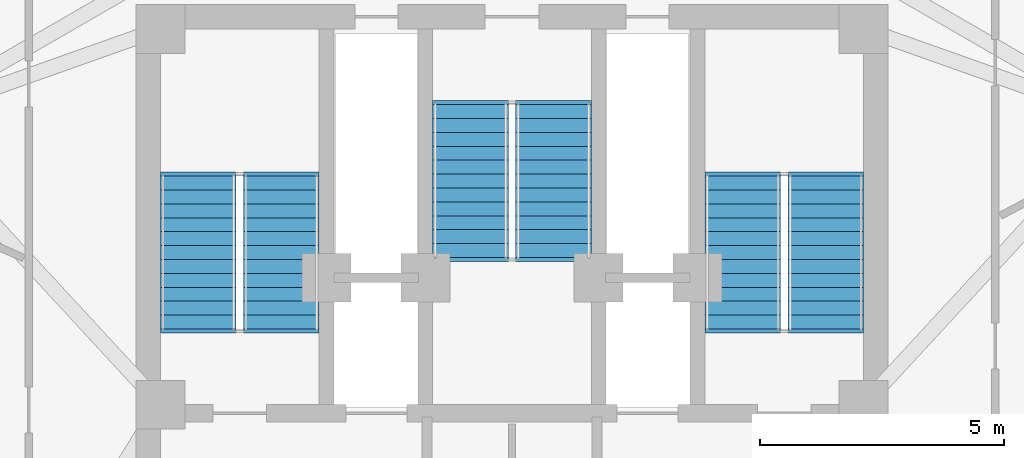
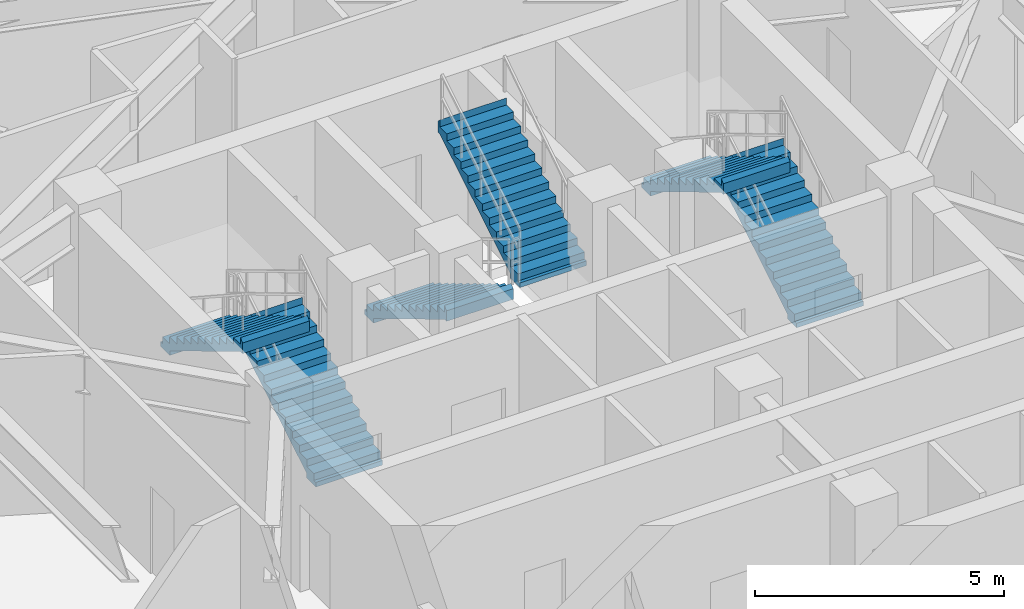
# One storey, part 8 of 10: 6 stair flights, 3 elements without a shape of their own.
"""IFC4 building model written with IfcOpenShell, lengths in metres."""

from ifc_helpers import new_model, si_unit, direction, frame, origin, place, context, subcontext, project, spatial, polyline, outline, extrude, material, type_object, element, aggregate, save


model = new_model("IFC4")

# Units and contexts
model_context = context("Model", 3, precision=1e-05, world=origin(), true_north=direction((0.0, 1.0)))
body_context = subcontext(model_context, "Body", "Model", "MODEL_VIEW")
ifc_project = project(units=[si_unit("LENGTHUNIT", "METRE"), si_unit("AREAUNIT", "SQUARE_METRE"), si_unit("VOLUMEUNIT", "CUBIC_METRE"), si_unit("PLANEANGLEUNIT", "RADIAN"), si_unit("MASSUNIT", "GRAM", prefix="KILO")], contexts=[model_context])

# Site, building, storey
site_placement = place(None, origin())
site = spatial("IfcSite", under=ifc_project, at=site_placement, CompositionType="ELEMENT")
building_placement = place(site_placement, origin())
building = spatial("IfcBuilding", under=site, at=building_placement, Name="Apsidion Concourse Tower", CompositionType="ELEMENT")
storey_placement = place(building_placement, frame((0.0, 0.0, 302.39990234375)))
storey = spatial("IfcBuildingStorey", under=building, at=storey_placement, Name="L71", CompositionType="ELEMENT", Elevation=302.39990234375)

# Stair, stair flights
ifc_material = material(Name="Precast concrete C40/50", Category="concrete")
stair_type = type_object("IfcStairType", Name="ST-DL-1550", PredefinedType="HALF_TURN_STAIR", material=ifc_material)
stair_1_placement = place(storey_placement, origin())
stair_1 = element("IfcStair", 1, at=stair_1_placement, inside=storey, type_object=stair_type, Name="L71 Protected Core Exit Stair ST1", PredefinedType="HALF_TURN_STAIR")
stair_flight_type = type_object("IfcStairFlightType", Name="SFL-RC-1550", PredefinedType="STRAIGHT", material=ifc_material)
stair_flight_1_placement = place(storey_placement, frame((-4.72509765625, 3.0, 0.0), z_axis=(0.0, 0.0, 1.0), x_axis=(0.0, 1.0, 0.0)))
stair_flight_1 = element("IfcStairFlight", 2, at=stair_flight_1_placement, type_object=stair_flight_type, Name="ST1 flight 1", NumberOfRisers=12, NumberOfTreads=11, PredefinedType="STRAIGHT", RiserHeight=0.170833333, TreadLength=0.285, context=body_context, shape_type="SweptSolid", body=[
    extrude(outline(polyline([(-0.080078125, -0.1123046875), (-0.080078125, 0.0), (0.0, 0.0), (0.0, 0.1708984375), (0.284912109375, 0.1708984375), (0.284912109375, 0.341552734375), (0.570068359375, 0.341552734375), (0.570068359375, 0.512451171875), (0.85498046875, 0.512451171875), (0.85498046875, 0.683349609375), (1.139892578125, 0.683349609375), (1.139892578125, 0.854248046875), (1.425048828125, 0.854248046875), (1.425048828125, 1.02490234375), (1.7099609375, 1.02490234375), (1.7099609375, 1.19580078125), (1.9951171875, 1.19580078125), (1.9951171875, 1.36669921875), (2.280029296875, 1.36669921875), (2.280029296875, 1.53759765625), (2.56494140625, 1.53759765625), (2.56494140625, 1.708251953125), (2.85009765625, 1.708251953125), (2.85009765625, 1.879150390625), (3.135009765625, 1.879150390625), (3.135009765625, 2.050048828125), (3.215087890625, 1.964599609375), (3.215087890625, 1.704345703125), (3.135009765625, 1.704345703125), (0.29150390625, 0.0), (0.29150390625, -0.1123046875), (-0.080078125, -0.1123046875)])), frame((0.0, 0.77490234375, 0.0), z_axis=(0.0, -1.0, 0.0), x_axis=(1.0, 0.0, 0.0)), (0.0, 0.0, 1.0), 1.550048828125),
])
stair_flight_2_placement = place(storey_placement, frame((-6.425048828125, 6.135009765625, 2.050048828125), z_axis=(0.0, 0.0, 1.0), x_axis=(0.0, -1.0, 0.0)))
stair_flight_2 = element("IfcStairFlight", 3, at=stair_flight_2_placement, type_object=stair_flight_type, Name="ST1 flight 2", NumberOfRisers=12, NumberOfTreads=11, PredefinedType="STRAIGHT", RiserHeight=0.170833333, TreadLength=0.285, context=body_context, shape_type="SweptSolid", body=[
    extrude(outline(polyline([(-0.080078125, -0.1123046875), (-0.080078125, 0.0), (0.0, 0.0), (0.0, 0.1708984375), (0.284912109375, 0.1708984375), (0.284912109375, 0.341552734375), (0.570068359375, 0.341552734375), (0.570068359375, 0.512451171875), (0.85498046875, 0.512451171875), (0.85498046875, 0.683349609375), (1.139892578125, 0.683349609375), (1.139892578125, 0.854248046875), (1.425048828125, 0.854248046875), (1.425048828125, 1.02490234375), (1.7099609375, 1.02490234375), (1.7099609375, 1.19580078125), (1.9951171875, 1.19580078125), (1.9951171875, 1.36669921875), (2.280029296875, 1.36669921875), (2.280029296875, 1.53759765625), (2.56494140625, 1.53759765625), (2.56494140625, 1.708251953125), (2.85009765625, 1.708251953125), (2.85009765625, 1.879150390625), (3.135009765625, 1.879150390625), (3.135009765625, 2.050048828125), (3.215087890625, 1.964599609375), (3.215087890625, 1.704345703125), (3.135009765625, 1.704345703125), (0.29150390625, 0.0), (0.29150390625, -0.1123046875), (-0.080078125, -0.1123046875)])), frame((0.0, 0.77490234375, 0.0), z_axis=(0.0, -1.0, 0.0), x_axis=(1.0, 0.0, 0.0)), (0.0, 0.0, 1.0), 1.550048828125),
])
aggregate(stair_1, [stair_flight_1, stair_flight_2])

stair_2_placement = place(storey_placement, origin())
stair_2 = element("IfcStair", 4, at=stair_2_placement, inside=storey, type_object=stair_type, Name="L71 Protected Core Exit Stair ST2", PredefinedType="HALF_TURN_STAIR")
stair_flight_3_placement = place(storey_placement, frame((6.425048828125, 3.0, 0.0), z_axis=(0.0, 0.0, 1.0), x_axis=(0.0, 1.0, 0.0)))
stair_flight_3 = element("IfcStairFlight", 5, at=stair_flight_3_placement, type_object=stair_flight_type, Name="ST2 flight 1", NumberOfRisers=12, NumberOfTreads=11, PredefinedType="STRAIGHT", RiserHeight=0.170833333, TreadLength=0.285, context=body_context, shape_type="SweptSolid", body=[
    extrude(outline(polyline([(-0.080078125, -0.1123046875), (-0.080078125, 0.0), (0.0, 0.0), (0.0, 0.1708984375), (0.284912109375, 0.1708984375), (0.284912109375, 0.341552734375), (0.570068359375, 0.341552734375), (0.570068359375, 0.512451171875), (0.85498046875, 0.512451171875), (0.85498046875, 0.683349609375), (1.139892578125, 0.683349609375), (1.139892578125, 0.854248046875), (1.425048828125, 0.854248046875), (1.425048828125, 1.02490234375), (1.7099609375, 1.02490234375), (1.7099609375, 1.19580078125), (1.9951171875, 1.19580078125), (1.9951171875, 1.36669921875), (2.280029296875, 1.36669921875), (2.280029296875, 1.53759765625), (2.56494140625, 1.53759765625), (2.56494140625, 1.708251953125), (2.85009765625, 1.708251953125), (2.85009765625, 1.879150390625), (3.135009765625, 1.879150390625), (3.135009765625, 2.050048828125), (3.215087890625, 1.964599609375), (3.215087890625, 1.704345703125), (3.135009765625, 1.704345703125), (0.29150390625, 0.0), (0.29150390625, -0.1123046875), (-0.080078125, -0.1123046875)])), frame((0.0, 0.77490234375, 0.0), z_axis=(0.0, -1.0, 0.0), x_axis=(1.0, 0.0, 0.0)), (0.0, 0.0, 1.0), 1.550048828125),
])
stair_flight_4_placement = place(storey_placement, frame((4.72509765625, 6.135009765625, 2.050048828125), z_axis=(0.0, 0.0, 1.0), x_axis=(0.0, -1.0, 0.0)))
stair_flight_4 = element("IfcStairFlight", 6, at=stair_flight_4_placement, type_object=stair_flight_type, Name="ST2 flight 2", NumberOfRisers=12, NumberOfTreads=11, PredefinedType="STRAIGHT", RiserHeight=0.170833333, TreadLength=0.285, context=body_context, shape_type="SweptSolid", body=[
    extrude(outline(polyline([(-0.080078125, -0.1123046875), (-0.080078125, 0.0), (0.0, 0.0), (0.0, 0.1708984375), (0.284912109375, 0.1708984375), (0.284912109375, 0.341552734375), (0.570068359375, 0.341552734375), (0.570068359375, 0.512451171875), (0.85498046875, 0.512451171875), (0.85498046875, 0.683349609375), (1.139892578125, 0.683349609375), (1.139892578125, 0.854248046875), (1.425048828125, 0.854248046875), (1.425048828125, 1.02490234375), (1.7099609375, 1.02490234375), (1.7099609375, 1.19580078125), (1.9951171875, 1.19580078125), (1.9951171875, 1.36669921875), (2.280029296875, 1.36669921875), (2.280029296875, 1.53759765625), (2.56494140625, 1.53759765625), (2.56494140625, 1.708251953125), (2.85009765625, 1.708251953125), (2.85009765625, 1.879150390625), (3.135009765625, 1.879150390625), (3.135009765625, 2.050048828125), (3.215087890625, 1.964599609375), (3.215087890625, 1.704345703125), (3.135009765625, 1.704345703125), (0.29150390625, 0.0), (0.29150390625, -0.1123046875), (-0.080078125, -0.1123046875)])), frame((0.0, 0.77490234375, 0.0), z_axis=(0.0, -1.0, 0.0), x_axis=(1.0, 0.0, 0.0)), (0.0, 0.0, 1.0), 1.550048828125),
])
aggregate(stair_2, [stair_flight_3, stair_flight_4])

stair_3_placement = place(storey_placement, origin())
stair_3 = element("IfcStair", 7, at=stair_3_placement, inside=storey, type_object=stair_type, Name="L71 Protected Core Exit Stair ST3", PredefinedType="HALF_TURN_STAIR")
stair_flight_5_placement = place(storey_placement, frame((-0.85009765625, 7.60009765625, 0.0), z_axis=(0.0, 0.0, 1.0), x_axis=(0.0, -1.0, 0.0)))
stair_flight_5 = element("IfcStairFlight", 8, at=stair_flight_5_placement, type_object=stair_flight_type, Name="ST3 flight 1", NumberOfRisers=12, NumberOfTreads=11, PredefinedType="STRAIGHT", RiserHeight=0.170833333, TreadLength=0.285, context=body_context, shape_type="SweptSolid", body=[
    extrude(outline(polyline([(-0.080078125, -0.1123046875), (-0.080078125, 0.0), (0.0, 0.0), (0.0, 0.1708984375), (0.284912109375, 0.1708984375), (0.284912109375, 0.341552734375), (0.570068359375, 0.341552734375), (0.570068359375, 0.512451171875), (0.85498046875, 0.512451171875), (0.85498046875, 0.683349609375), (1.139892578125, 0.683349609375), (1.139892578125, 0.854248046875), (1.425048828125, 0.854248046875), (1.425048828125, 1.02490234375), (1.7099609375, 1.02490234375), (1.7099609375, 1.19580078125), (1.9951171875, 1.19580078125), (1.9951171875, 1.36669921875), (2.280029296875, 1.36669921875), (2.280029296875, 1.53759765625), (2.56494140625, 1.53759765625), (2.56494140625, 1.708251953125), (2.85009765625, 1.708251953125), (2.85009765625, 1.879150390625), (3.135009765625, 1.879150390625), (3.135009765625, 2.050048828125), (3.215087890625, 1.964599609375), (3.215087890625, 1.704345703125), (3.135009765625, 1.704345703125), (0.29150390625, 0.0), (0.29150390625, -0.1123046875), (-0.080078125, -0.1123046875)])), frame((0.0, 0.77490234375, 0.0), z_axis=(0.0, -1.0, 0.0), x_axis=(1.0, 0.0, 0.0)), (0.0, 0.0, 1.0), 1.550048828125),
])
stair_flight_6_placement = place(storey_placement, frame((0.85009765625, 4.465087890625, 2.050048828125), z_axis=(0.0, 0.0, 1.0), x_axis=(0.0, 1.0, 0.0)))
stair_flight_6 = element("IfcStairFlight", 9, at=stair_flight_6_placement, type_object=stair_flight_type, Name="ST3 flight 2", NumberOfRisers=12, NumberOfTreads=11, PredefinedType="STRAIGHT", RiserHeight=0.170833333, TreadLength=0.285, context=body_context, shape_type="SweptSolid", body=[
    extrude(outline(polyline([(-0.080078125, -0.1123046875), (-0.080078125, 0.0), (0.0, 0.0), (0.0, 0.1708984375), (0.284912109375, 0.1708984375), (0.284912109375, 0.341552734375), (0.570068359375, 0.341552734375), (0.570068359375, 0.512451171875), (0.85498046875, 0.512451171875), (0.85498046875, 0.683349609375), (1.139892578125, 0.683349609375), (1.139892578125, 0.854248046875), (1.425048828125, 0.854248046875), (1.425048828125, 1.02490234375), (1.7099609375, 1.02490234375), (1.7099609375, 1.19580078125), (1.9951171875, 1.19580078125), (1.9951171875, 1.36669921875), (2.280029296875, 1.36669921875), (2.280029296875, 1.53759765625), (2.56494140625, 1.53759765625), (2.56494140625, 1.708251953125), (2.85009765625, 1.708251953125), (2.85009765625, 1.879150390625), (3.135009765625, 1.879150390625), (3.135009765625, 2.050048828125), (3.215087890625, 1.964599609375), (3.215087890625, 1.704345703125), (3.135009765625, 1.704345703125), (0.29150390625, 0.0), (0.29150390625, -0.1123046875), (-0.080078125, -0.1123046875)])), frame((0.0, 0.77490234375, 0.0), z_axis=(0.0, -1.0, 0.0), x_axis=(1.0, 0.0, 0.0)), (0.0, 0.0, 1.0), 1.550048828125),
])
aggregate(stair_3, [stair_flight_5, stair_flight_6])

save(model, "model.ifc")
